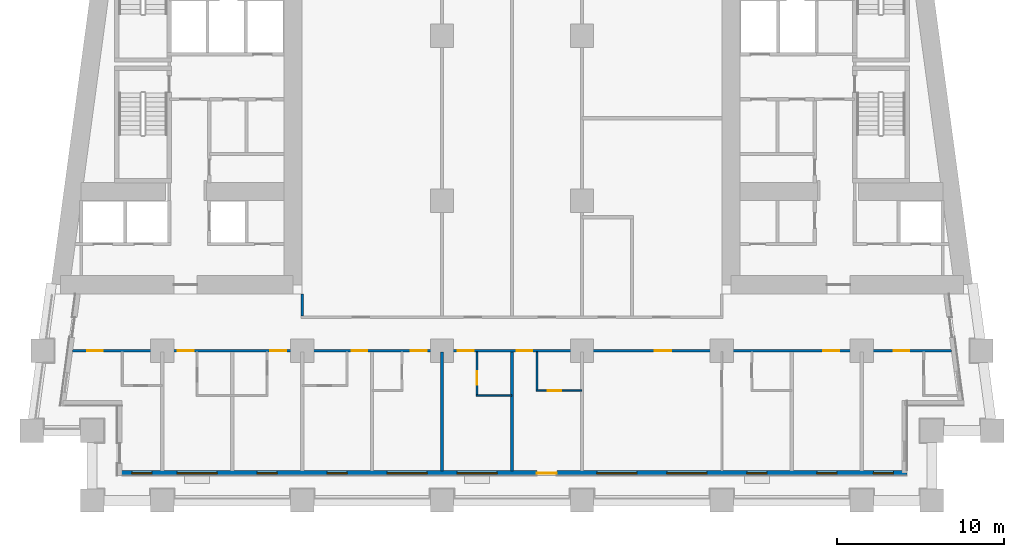
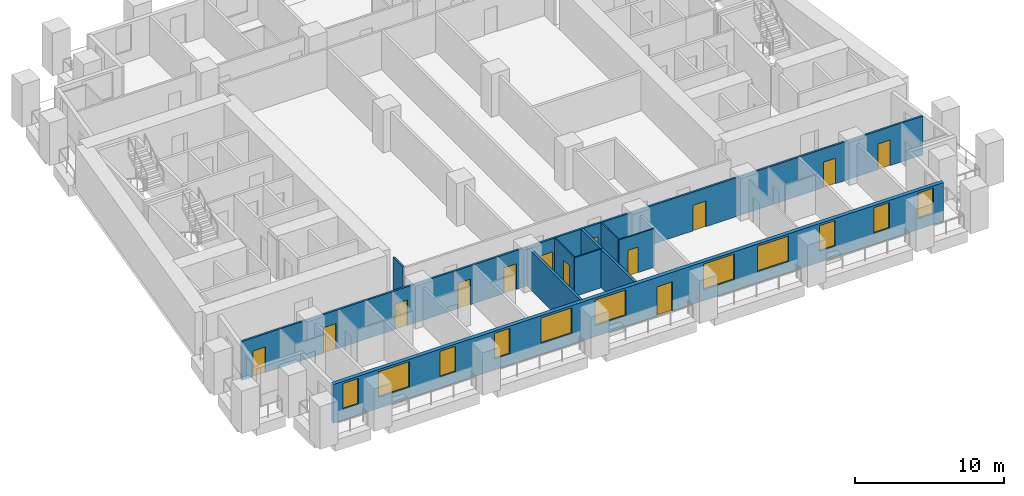
# One storey, part 3 of 13: 13 doors, 11 windows, 9 walls, 24 openings.
"""IFC4 building model written with IfcOpenShell, lengths in metres."""

from ifc_helpers import new_model, si_unit, direction, frame, frame_2d, origin, place, context, subcontext, project, spatial, rectangle, extrude, material, layer, layer_set, type_object, element, fill, save


model = new_model("IFC4")

# Units and contexts
model_context = context("Model", 3, precision=1e-05, world=origin(), true_north=direction((0.0, 1.0)))
body_context = subcontext(model_context, "Body", "Model", "MODEL_VIEW")
ifc_project = project(units=[si_unit("LENGTHUNIT", "METRE"), si_unit("AREAUNIT", "SQUARE_METRE"), si_unit("VOLUMEUNIT", "CUBIC_METRE"), si_unit("PLANEANGLEUNIT", "RADIAN"), si_unit("MASSUNIT", "GRAM", prefix="KILO")], contexts=[model_context])

# Site, building, storey
site_placement = place(None, origin())
site = spatial("IfcSite", under=ifc_project, at=site_placement, CompositionType="ELEMENT")
building_placement = place(site_placement, origin())
building = spatial("IfcBuilding", under=site, at=building_placement, Name="Candeia Pilgrim Tower and Theatre", CompositionType="ELEMENT")
storey_placement = place(building_placement, frame((0.0, 0.0, 67.0)))
storey = spatial("IfcBuildingStorey", under=building, at=storey_placement, Name="L14", CompositionType="ELEMENT", Elevation=67.0)

# Wall, openings, door, windows
ifc_material_1 = material(Name="Ceramic block masonry", Category="masonry")
ifc_layer_1 = layer(ifc_material_1, 0.300048828125)
ifc_layer_set_1 = layer_set([ifc_layer_1], Name="EW1 glazing-line wall 300")
wall_type_1 = type_object("IfcWallType", Name="EW1 glazing-line wall 300", PredefinedType="SOLIDWALL", material=ifc_layer_set_1)
wall_1_placement = place(storey_placement, frame((89.85009765625, 99.64990234375, 0.0), z_axis=(0.0, 0.0, 1.0), x_axis=(1.0, 0.0, 0.0)))
wall_1 = element("IfcWall", 1, at=wall_1_placement, inside=storey, type_object=wall_type_1, Name="External wall L14-0.0", PredefinedType="SOLIDWALL", context=body_context, shape_type="SweptSolid", body=[
    extrude(rectangle(XDim=47.25, YDim=0.300048828125, at=frame_2d((23.625, 0.0))), origin(), (0.0, 0.0, 1.0), 3.179931640625),
])
opening_1_placement = place(wall_1_placement, frame((0.72509765625, 0.0, 0.89990234375)))
opening_1 = element("IfcOpeningElement", 2, at=opening_1_placement, cuts=wall_1, Name="Opening W-B", PredefinedType="OPENING", context=body_context, shape_type="SweptSolid", body=[
    extrude(rectangle(XDim=1.199951171875, YDim=2.10009765625, at=frame_2d((0.60009765625, 1.050048828125))), frame((0.0, 0.16015625, 0.0), z_axis=(0.0, -1.0, 0.0), x_axis=(1.0, 0.0, 0.0)), (0.0, 0.0, 1.0), 0.320068359375),
])
opening_2_placement = place(wall_1_placement, frame((3.449951171875, 0.0, 0.89990234375)))
opening_2 = element("IfcOpeningElement", 3, at=opening_2_placement, cuts=wall_1, Name="Opening W-A", PredefinedType="OPENING", context=body_context, shape_type="SweptSolid", body=[
    extrude(rectangle(XDim=2.39990234375, YDim=2.10009765625, at=frame_2d((1.199951171875, 1.050048828125))), frame((0.0, 0.16015625, 0.0), z_axis=(0.0, -1.0, 0.0), x_axis=(1.0, 0.0, 0.0)), (0.0, 0.0, 1.0), 0.320068359375),
])
opening_3_placement = place(wall_1_placement, frame((8.25, 0.0, 0.89990234375)))
opening_3 = element("IfcOpeningElement", 4, at=opening_3_placement, cuts=wall_1, Name="Opening W-B", PredefinedType="OPENING", context=body_context, shape_type="SweptSolid", body=[
    extrude(rectangle(XDim=1.199951171875, YDim=2.10009765625, at=frame_2d((0.60009765625, 1.050048828125))), frame((0.0, 0.16015625, 0.0), z_axis=(0.0, -1.0, 0.0), x_axis=(1.0, 0.0, 0.0)), (0.0, 0.0, 1.0), 0.320068359375),
])
opening_4_placement = place(wall_1_placement, frame((12.449951171875, 0.0, 0.89990234375)))
opening_4 = element("IfcOpeningElement", 5, at=opening_4_placement, cuts=wall_1, Name="Opening W-B", PredefinedType="OPENING", context=body_context, shape_type="SweptSolid", body=[
    extrude(rectangle(XDim=1.199951171875, YDim=2.10009765625, at=frame_2d((0.60009765625, 1.050048828125))), frame((0.0, 0.16015625, 0.0), z_axis=(0.0, -1.0, 0.0), x_axis=(1.0, 0.0, 0.0)), (0.0, 0.0, 1.0), 0.320068359375),
])
opening_5_placement = place(wall_1_placement, frame((16.050048828125, 0.0, 0.89990234375)))
opening_5 = element("IfcOpeningElement", 6, at=opening_5_placement, cuts=wall_1, Name="Opening W-A", PredefinedType="OPENING", context=body_context, shape_type="SweptSolid", body=[
    extrude(rectangle(XDim=2.39990234375, YDim=2.10009765625, at=frame_2d((1.199951171875, 1.050048828125))), frame((0.0, 0.16015625, 0.0), z_axis=(0.0, -1.0, 0.0), x_axis=(1.0, 0.0, 0.0)), (0.0, 0.0, 1.0), 0.320068359375),
])
opening_6_placement = place(wall_1_placement, frame((20.25, 0.0, 0.89990234375)))
opening_6 = element("IfcOpeningElement", 7, at=opening_6_placement, cuts=wall_1, Name="Opening W-A", PredefinedType="OPENING", context=body_context, shape_type="SweptSolid", body=[
    extrude(rectangle(XDim=2.39990234375, YDim=2.10009765625, at=frame_2d((1.199951171875, 1.050048828125))), frame((0.0, 0.16015625, 0.0), z_axis=(0.0, -1.0, 0.0), x_axis=(1.0, 0.0, 0.0)), (0.0, 0.0, 1.0), 0.320068359375),
])
opening_7_placement = place(wall_1_placement, frame((25.050048828125, 0.0, 0.0)))
opening_7 = element("IfcOpeningElement", 8, at=opening_7_placement, cuts=wall_1, Name="Opening L14-ED157", PredefinedType="OPENING", context=body_context, shape_type="SweptSolid", body=[
    extrude(rectangle(XDim=1.199951171875, YDim=2.39990234375, at=frame_2d((0.60009765625, 1.199951171875))), frame((0.0, 0.16015625, 0.0), z_axis=(0.0, -1.0, 0.0), x_axis=(1.0, 0.0, 0.0)), (0.0, 0.0, 1.0), 0.320068359375),
])
opening_8_placement = place(wall_1_placement, frame((28.64990234375, 0.0, 0.89990234375)))
opening_8 = element("IfcOpeningElement", 9, at=opening_8_placement, cuts=wall_1, Name="Opening W-A", PredefinedType="OPENING", context=body_context, shape_type="SweptSolid", body=[
    extrude(rectangle(XDim=2.39990234375, YDim=2.10009765625, at=frame_2d((1.199951171875, 1.050048828125))), frame((0.0, 0.16015625, 0.0), z_axis=(0.0, -1.0, 0.0), x_axis=(1.0, 0.0, 0.0)), (0.0, 0.0, 1.0), 0.320068359375),
])
opening_9_placement = place(wall_1_placement, frame((32.85009765625, 0.0, 0.89990234375)))
opening_9 = element("IfcOpeningElement", 10, at=opening_9_placement, cuts=wall_1, Name="Opening W-A", PredefinedType="OPENING", context=body_context, shape_type="SweptSolid", body=[
    extrude(rectangle(XDim=2.39990234375, YDim=2.10009765625, at=frame_2d((1.199951171875, 1.050048828125))), frame((0.0, 0.16015625, 0.0), z_axis=(0.0, -1.0, 0.0), x_axis=(1.0, 0.0, 0.0)), (0.0, 0.0, 1.0), 0.320068359375),
])
opening_10_placement = place(wall_1_placement, frame((37.64990234375, 0.0, 0.89990234375)))
opening_10 = element("IfcOpeningElement", 11, at=opening_10_placement, cuts=wall_1, Name="Opening W-B", PredefinedType="OPENING", context=body_context, shape_type="SweptSolid", body=[
    extrude(rectangle(XDim=1.199951171875, YDim=2.10009765625, at=frame_2d((0.60009765625, 1.050048828125))), frame((0.0, 0.16015625, 0.0), z_axis=(0.0, -1.0, 0.0), x_axis=(1.0, 0.0, 0.0)), (0.0, 0.0, 1.0), 0.320068359375),
])
opening_11_placement = place(wall_1_placement, frame((41.85009765625, 0.0, 0.89990234375)))
opening_11 = element("IfcOpeningElement", 12, at=opening_11_placement, cuts=wall_1, Name="Opening W-B", PredefinedType="OPENING", context=body_context, shape_type="SweptSolid", body=[
    extrude(rectangle(XDim=1.199951171875, YDim=2.10009765625, at=frame_2d((0.60009765625, 1.050048828125))), frame((0.0, 0.16015625, 0.0), z_axis=(0.0, -1.0, 0.0), x_axis=(1.0, 0.0, 0.0)), (0.0, 0.0, 1.0), 0.320068359375),
])
opening_12_placement = place(wall_1_placement, frame((45.25, 0.0, 0.89990234375)))
opening_12 = element("IfcOpeningElement", 13, at=opening_12_placement, cuts=wall_1, Name="Opening W-B", PredefinedType="OPENING", context=body_context, shape_type="SweptSolid", body=[
    extrude(rectangle(XDim=1.199951171875, YDim=2.10009765625, at=frame_2d((0.60009765625, 1.050048828125))), frame((0.0, 0.16015625, 0.0), z_axis=(0.0, -1.0, 0.0), x_axis=(1.0, 0.0, 0.0)), (0.0, 0.0, 1.0), 0.320068359375),
])
ifc_material_2 = material(Name="Aluminium framed glazed door", Category="aluminium")
door_type_1 = type_object("IfcDoorType", Name="Loggia door 1200x2400", OperationType="DOUBLE_DOOR_SINGLE_SWING", PredefinedType="DOOR", material=ifc_material_2)
door_1_placement = place(opening_7_placement, origin())
door_1 = element("IfcDoor", 14, at=door_1_placement, inside=storey, type_object=door_type_1, Name="Loggia door L14-ED157", OperationType="DOUBLE_DOOR_SINGLE_SWING", OverallHeight=2.39990234375, OverallWidth=1.199951171875, PredefinedType="DOOR", context=body_context, shape_type="SweptSolid", body=[
    extrude(rectangle(XDim=1.199951171875, YDim=2.39990234375, at=frame_2d((0.60009765625, 1.199951171875))), frame((0.0, 0.02490234375, 0.0), z_axis=(0.0, -1.0, 0.0), x_axis=(1.0, 0.0, 0.0)), (0.0, 0.0, 1.0), 0.050048828125),
])
fill(opening_7, door_1)
ifc_material_3 = material(Name="Aluminium framed double glazing", Category="aluminium")
window_type_1 = type_object("IfcWindowType", Name="W-A window 2400x2100", PartitioningType="DOUBLE_PANEL_VERTICAL", PredefinedType="WINDOW", material=ifc_material_3)
window_1_placement = place(opening_2_placement, origin())
window_1 = element("IfcWindow", 15, at=window_1_placement, inside=storey, type_object=window_type_1, Name="Window W-A L14", OverallHeight=2.10009765625, OverallWidth=2.39990234375, PartitioningType="SINGLE_PANEL", PredefinedType="WINDOW", context=body_context, shape_type="SweptSolid", body=[
    extrude(rectangle(XDim=2.39990234375, YDim=2.10009765625, at=frame_2d((1.199951171875, 1.050048828125))), frame((0.0, 0.030029296875, 0.0), z_axis=(0.0, -1.0, 0.0), x_axis=(1.0, 0.0, 0.0)), (0.0, 0.0, 1.0), 0.06005859375),
])
fill(opening_2, window_1)
window_2_placement = place(opening_5_placement, origin())
window_2 = element("IfcWindow", 16, at=window_2_placement, inside=storey, type_object=window_type_1, Name="Window W-A L14", OverallHeight=2.10009765625, OverallWidth=2.39990234375, PartitioningType="SINGLE_PANEL", PredefinedType="WINDOW", context=body_context, shape_type="SweptSolid", body=[
    extrude(rectangle(XDim=2.39990234375, YDim=2.10009765625, at=frame_2d((1.199951171875, 1.050048828125))), frame((0.0, 0.030029296875, 0.0), z_axis=(0.0, -1.0, 0.0), x_axis=(1.0, 0.0, 0.0)), (0.0, 0.0, 1.0), 0.06005859375),
])
fill(opening_5, window_2)
window_3_placement = place(opening_6_placement, origin())
window_3 = element("IfcWindow", 17, at=window_3_placement, inside=storey, type_object=window_type_1, Name="Window W-A L14", OverallHeight=2.10009765625, OverallWidth=2.39990234375, PartitioningType="SINGLE_PANEL", PredefinedType="WINDOW", context=body_context, shape_type="SweptSolid", body=[
    extrude(rectangle(XDim=2.39990234375, YDim=2.10009765625, at=frame_2d((1.199951171875, 1.050048828125))), frame((0.0, 0.030029296875, 0.0), z_axis=(0.0, -1.0, 0.0), x_axis=(1.0, 0.0, 0.0)), (0.0, 0.0, 1.0), 0.06005859375),
])
fill(opening_6, window_3)
window_4_placement = place(opening_8_placement, origin())
window_4 = element("IfcWindow", 18, at=window_4_placement, inside=storey, type_object=window_type_1, Name="Window W-A L14", OverallHeight=2.10009765625, OverallWidth=2.39990234375, PartitioningType="SINGLE_PANEL", PredefinedType="WINDOW", context=body_context, shape_type="SweptSolid", body=[
    extrude(rectangle(XDim=2.39990234375, YDim=2.10009765625, at=frame_2d((1.199951171875, 1.050048828125))), frame((0.0, 0.030029296875, 0.0), z_axis=(0.0, -1.0, 0.0), x_axis=(1.0, 0.0, 0.0)), (0.0, 0.0, 1.0), 0.06005859375),
])
fill(opening_8, window_4)
window_5_placement = place(opening_9_placement, origin())
window_5 = element("IfcWindow", 19, at=window_5_placement, inside=storey, type_object=window_type_1, Name="Window W-A L14", OverallHeight=2.10009765625, OverallWidth=2.39990234375, PartitioningType="SINGLE_PANEL", PredefinedType="WINDOW", context=body_context, shape_type="SweptSolid", body=[
    extrude(rectangle(XDim=2.39990234375, YDim=2.10009765625, at=frame_2d((1.199951171875, 1.050048828125))), frame((0.0, 0.030029296875, 0.0), z_axis=(0.0, -1.0, 0.0), x_axis=(1.0, 0.0, 0.0)), (0.0, 0.0, 1.0), 0.06005859375),
])
fill(opening_9, window_5)
window_type_2 = type_object("IfcWindowType", Name="W-B window 1200x2100", PartitioningType="SINGLE_PANEL", PredefinedType="WINDOW", material=ifc_material_3)
window_6_placement = place(opening_1_placement, origin())
window_6 = element("IfcWindow", 20, at=window_6_placement, inside=storey, type_object=window_type_2, Name="Window W-B L14", OverallHeight=2.10009765625, OverallWidth=1.199951171875, PartitioningType="SINGLE_PANEL", PredefinedType="WINDOW", context=body_context, shape_type="SweptSolid", body=[
    extrude(rectangle(XDim=1.199951171875, YDim=2.10009765625, at=frame_2d((0.60009765625, 1.050048828125))), frame((0.0, 0.030029296875, 0.0), z_axis=(0.0, -1.0, 0.0), x_axis=(1.0, 0.0, 0.0)), (0.0, 0.0, 1.0), 0.06005859375),
])
fill(opening_1, window_6)
window_7_placement = place(opening_3_placement, origin())
window_7 = element("IfcWindow", 21, at=window_7_placement, inside=storey, type_object=window_type_2, Name="Window W-B L14", OverallHeight=2.10009765625, OverallWidth=1.199951171875, PartitioningType="SINGLE_PANEL", PredefinedType="WINDOW", context=body_context, shape_type="SweptSolid", body=[
    extrude(rectangle(XDim=1.199951171875, YDim=2.10009765625, at=frame_2d((0.60009765625, 1.050048828125))), frame((0.0, 0.030029296875, 0.0), z_axis=(0.0, -1.0, 0.0), x_axis=(1.0, 0.0, 0.0)), (0.0, 0.0, 1.0), 0.06005859375),
])
fill(opening_3, window_7)
window_8_placement = place(opening_4_placement, origin())
window_8 = element("IfcWindow", 22, at=window_8_placement, inside=storey, type_object=window_type_2, Name="Window W-B L14", OverallHeight=2.10009765625, OverallWidth=1.199951171875, PartitioningType="SINGLE_PANEL", PredefinedType="WINDOW", context=body_context, shape_type="SweptSolid", body=[
    extrude(rectangle(XDim=1.199951171875, YDim=2.10009765625, at=frame_2d((0.60009765625, 1.050048828125))), frame((0.0, 0.030029296875, 0.0), z_axis=(0.0, -1.0, 0.0), x_axis=(1.0, 0.0, 0.0)), (0.0, 0.0, 1.0), 0.06005859375),
])
fill(opening_4, window_8)
window_9_placement = place(opening_10_placement, origin())
window_9 = element("IfcWindow", 23, at=window_9_placement, inside=storey, type_object=window_type_2, Name="Window W-B L14", OverallHeight=2.10009765625, OverallWidth=1.199951171875, PartitioningType="SINGLE_PANEL", PredefinedType="WINDOW", context=body_context, shape_type="SweptSolid", body=[
    extrude(rectangle(XDim=1.199951171875, YDim=2.10009765625, at=frame_2d((0.60009765625, 1.050048828125))), frame((0.0, 0.030029296875, 0.0), z_axis=(0.0, -1.0, 0.0), x_axis=(1.0, 0.0, 0.0)), (0.0, 0.0, 1.0), 0.06005859375),
])
fill(opening_10, window_9)
window_10_placement = place(opening_11_placement, origin())
window_10 = element("IfcWindow", 24, at=window_10_placement, inside=storey, type_object=window_type_2, Name="Window W-B L14", OverallHeight=2.10009765625, OverallWidth=1.199951171875, PartitioningType="SINGLE_PANEL", PredefinedType="WINDOW", context=body_context, shape_type="SweptSolid", body=[
    extrude(rectangle(XDim=1.199951171875, YDim=2.10009765625, at=frame_2d((0.60009765625, 1.050048828125))), frame((0.0, 0.030029296875, 0.0), z_axis=(0.0, -1.0, 0.0), x_axis=(1.0, 0.0, 0.0)), (0.0, 0.0, 1.0), 0.06005859375),
])
fill(opening_11, window_10)
window_11_placement = place(opening_12_placement, origin())
window_11 = element("IfcWindow", 25, at=window_11_placement, inside=storey, type_object=window_type_2, Name="Window W-B L14", OverallHeight=2.10009765625, OverallWidth=1.199951171875, PartitioningType="SINGLE_PANEL", PredefinedType="WINDOW", context=body_context, shape_type="SweptSolid", body=[
    extrude(rectangle(XDim=1.199951171875, YDim=2.10009765625, at=frame_2d((0.60009765625, 1.050048828125))), frame((0.0, 0.030029296875, 0.0), z_axis=(0.0, -1.0, 0.0), x_axis=(1.0, 0.0, 0.0)), (0.0, 0.0, 1.0), 0.06005859375),
])
fill(opening_12, window_11)

# Wall
ifc_material_4 = material(Name="Gypsum board partition on steel studs", Category="steel")
ifc_layer_2 = layer(ifc_material_4, 0.10009765625)
ifc_layer_set_2 = layer_set([ifc_layer_2], Name="PW-100 room partition")
wall_type_2 = type_object("IfcWallType", Name="PW-100 room partition", PredefinedType="PARTITIONING", material=ifc_layer_set_2)
wall_2_placement = place(storey_placement, frame((111.25, 104.300048828125, 0.0), z_axis=(0.0, 0.0, 1.0), x_axis=(1.0, 0.0, 0.0)))
element("IfcWall", 26, at=wall_2_placement, inside=storey, type_object=wall_type_2, Name="Room partition L14-002", PredefinedType="PARTITIONING", context=body_context, shape_type="SweptSolid", body=[
    extrude(rectangle(XDim=2.14990234375, YDim=0.10009765625, at=frame_2d((1.074951171875, 0.0))), origin(), (0.0, 0.0, 1.0), 3.179931640625),
])

# Wall, opening, door
wall_3_placement = place(storey_placement, frame((114.85009765625, 104.60009765625, 0.0), z_axis=(0.0, 0.0, 1.0), x_axis=(1.0, 0.0, 0.0)))
wall_3 = element("IfcWall", 27, at=wall_3_placement, inside=storey, type_object=wall_type_2, Name="Room partition L14-005", PredefinedType="PARTITIONING", context=body_context, shape_type="SweptSolid", body=[
    extrude(rectangle(XDim=2.75, YDim=0.10009765625, at=frame_2d((1.375, 0.0))), origin(), (0.0, 0.0, 1.0), 3.179931640625),
])
opening_13_placement = place(wall_3_placement, frame((0.699951171875, 0.0, 0.0)))
opening_13 = element("IfcOpeningElement", 28, at=opening_13_placement, cuts=wall_3, Name="Opening L14-D030", PredefinedType="OPENING", context=body_context, shape_type="SweptSolid", body=[
    extrude(rectangle(XDim=0.800048828125, YDim=2.10009765625, at=frame_2d((0.39990234375, 1.050048828125))), frame((0.0, 0.06005859375, 0.0), z_axis=(0.0, -1.0, 0.0), x_axis=(1.0, 0.0, 0.0)), (0.0, 0.0, 1.0), 0.1201171875),
])
ifc_material_5 = material(Name="Timber door leaf", Category="wood")
door_type_2 = type_object("IfcDoorType", Name="D-800", OperationType="NOTDEFINED", PredefinedType="DOOR", material=ifc_material_5)
door_2_placement = place(opening_13_placement, origin())
door_2 = element("IfcDoor", 29, at=door_2_placement, inside=storey, type_object=door_type_2, Name="Door L14-D030", OperationType="SINGLE_SWING_RIGHT", OverallHeight=2.10009765625, OverallWidth=0.800048828125, PredefinedType="DOOR", context=body_context, shape_type="SweptSolid", body=[
    extrude(rectangle(XDim=0.800048828125, YDim=2.10009765625, at=frame_2d((0.39990234375, 1.050048828125))), frame((0.0, 0.02490234375, 0.0), z_axis=(0.0, -1.0, 0.0), x_axis=(1.0, 0.0, 0.0)), (0.0, 0.0, 1.0), 0.050048828125),
])
fill(opening_13, door_2)

wall_4_placement = place(storey_placement, frame((111.300048828125, 104.35009765625, 0.0), z_axis=(0.0, 0.0, 1.0), x_axis=(0.0, 1.0, 0.0)))
wall_4 = element("IfcWall", 30, at=wall_4_placement, inside=storey, type_object=wall_type_2, Name="Room partition L14-078", PredefinedType="PARTITIONING", context=body_context, shape_type="SweptSolid", body=[
    extrude(rectangle(XDim=2.574951171875, YDim=0.10009765625, at=frame_2d((1.28759765625, 0.0))), origin(), (0.0, 0.0, 1.0), 3.179931640625),
])
opening_14_placement = place(wall_4_placement, frame((0.60009765625, 0.0, 0.0)))
opening_14 = element("IfcOpeningElement", 31, at=opening_14_placement, cuts=wall_4, Name="Opening L14-D028", PredefinedType="OPENING", context=body_context, shape_type="SweptSolid", body=[
    extrude(rectangle(XDim=0.800048828125, YDim=2.10009765625, at=frame_2d((0.39990234375, 1.050048828125))), frame((0.0, 0.06005859375, 0.0), z_axis=(0.0, -1.0, 0.0), x_axis=(1.0, 0.0, 0.0)), (0.0, 0.0, 1.0), 0.1201171875),
])
door_3_placement = place(opening_14_placement, origin())
door_3 = element("IfcDoor", 32, at=door_3_placement, inside=storey, type_object=door_type_2, Name="Door L14-D028", OperationType="SINGLE_SWING_RIGHT", OverallHeight=2.10009765625, OverallWidth=0.800048828125, PredefinedType="DOOR", context=body_context, shape_type="SweptSolid", body=[
    extrude(rectangle(XDim=0.800048828125, YDim=2.10009765625, at=frame_2d((0.39990234375, 1.050048828125))), frame((0.0, 0.02490234375, 0.0), z_axis=(0.0, -1.0, 0.0), x_axis=(1.0, 0.0, 0.0)), (0.0, 0.0, 1.0), 0.050048828125),
])
fill(opening_14, door_3)

# Wall
wall_5_placement = place(storey_placement, frame((114.89990234375, 104.64990234375, 0.0), z_axis=(0.0, 0.0, 1.0), x_axis=(0.0, 1.0, 0.0)))
element("IfcWall", 33, at=wall_5_placement, inside=storey, type_object=wall_type_2, Name="Room partition L14-081", PredefinedType="PARTITIONING", context=body_context, shape_type="SweptSolid", body=[
    extrude(rectangle(XDim=2.275146484375, YDim=0.10009765625, at=frame_2d((1.1376953125, 0.0))), origin(), (0.0, 0.0, 1.0), 3.179931640625),
])

# Wall, openings, doors
ifc_layer_3 = layer(ifc_material_4, 0.14990234375)
ifc_layer_set_3 = layer_set([ifc_layer_3], Name="PW-150 unit wall")
wall_type_3 = type_object("IfcWallType", Name="PW-150 unit wall", PredefinedType="PARTITIONING", material=ifc_layer_set_3)
wall_6_placement = place(storey_placement, frame((87.017578125, 107.0, 0.0), z_axis=(0.0, 0.0, 1.0), x_axis=(1.0, 0.0, 0.0)))
wall_6 = element("IfcWall", 34, at=wall_6_placement, inside=storey, type_object=wall_type_3, Name="Unit wall L14-009", PredefinedType="PARTITIONING", context=body_context, shape_type="SweptSolid", body=[
    extrude(rectangle(XDim=52.7646484375, YDim=0.14990234375, at=frame_2d((26.38232421875, 0.0))), origin(), (0.0, 0.0, 1.0), 3.179931640625),
])
opening_15_placement = place(wall_6_placement, frame((0.870361328125, 0.0, 0.0)))
opening_15 = element("IfcOpeningElement", 35, at=opening_15_placement, cuts=wall_6, Name="Opening L14-D017", PredefinedType="OPENING", context=body_context, shape_type="SweptSolid", body=[
    extrude(rectangle(XDim=0.949951171875, YDim=2.10009765625, at=frame_2d((0.47509765625, 1.050048828125))), frame((0.0, 0.0849609375, 0.0), z_axis=(0.0, -1.0, 0.0), x_axis=(1.0, 0.0, 0.0)), (0.0, 0.0, 1.0), 0.169921875),
])
opening_16_placement = place(wall_6_placement, frame((6.332275390625, 0.0, 0.0)))
opening_16 = element("IfcOpeningElement", 36, at=opening_16_placement, cuts=wall_6, Name="Opening L14-D019", PredefinedType="OPENING", context=body_context, shape_type="SweptSolid", body=[
    extrude(rectangle(XDim=0.949951171875, YDim=2.10009765625, at=frame_2d((0.47509765625, 1.050048828125))), frame((0.0, 0.0849609375, 0.0), z_axis=(0.0, -1.0, 0.0), x_axis=(1.0, 0.0, 0.0)), (0.0, 0.0, 1.0), 0.169921875),
])
opening_17_placement = place(wall_6_placement, frame((11.88232421875, 0.0, 0.0)))
opening_17 = element("IfcOpeningElement", 37, at=opening_17_placement, cuts=wall_6, Name="Opening L14-D021", PredefinedType="OPENING", context=body_context, shape_type="SweptSolid", body=[
    extrude(rectangle(XDim=0.949951171875, YDim=2.10009765625, at=frame_2d((0.47509765625, 1.050048828125))), frame((0.0, 0.0849609375, 0.0), z_axis=(0.0, -1.0, 0.0), x_axis=(1.0, 0.0, 0.0)), (0.0, 0.0, 1.0), 0.169921875),
])
opening_18_placement = place(wall_6_placement, frame((16.75732421875, 0.0, 0.0)))
opening_18 = element("IfcOpeningElement", 38, at=opening_18_placement, cuts=wall_6, Name="Opening L14-D023", PredefinedType="OPENING", context=body_context, shape_type="SweptSolid", body=[
    extrude(rectangle(XDim=0.949951171875, YDim=2.10009765625, at=frame_2d((0.47509765625, 1.050048828125))), frame((0.0, 0.0849609375, 0.0), z_axis=(0.0, -1.0, 0.0), x_axis=(1.0, 0.0, 0.0)), (0.0, 0.0, 1.0), 0.169921875),
])
opening_19_placement = place(wall_6_placement, frame((20.3193359375, 0.0, 0.0)))
opening_19 = element("IfcOpeningElement", 39, at=opening_19_placement, cuts=wall_6, Name="Opening L14-D025", PredefinedType="OPENING", context=body_context, shape_type="SweptSolid", body=[
    extrude(rectangle(XDim=0.949951171875, YDim=2.10009765625, at=frame_2d((0.47509765625, 1.050048828125))), frame((0.0, 0.0849609375, 0.0), z_axis=(0.0, -1.0, 0.0), x_axis=(1.0, 0.0, 0.0)), (0.0, 0.0, 1.0), 0.169921875),
])
opening_20_placement = place(wall_6_placement, frame((23.13232421875, 0.0, 0.0)))
opening_20 = element("IfcOpeningElement", 40, at=opening_20_placement, cuts=wall_6, Name="Opening L14-D027", PredefinedType="OPENING", context=body_context, shape_type="SweptSolid", body=[
    extrude(rectangle(XDim=0.949951171875, YDim=2.10009765625, at=frame_2d((0.47509765625, 1.050048828125))), frame((0.0, 0.0849609375, 0.0), z_axis=(0.0, -1.0, 0.0), x_axis=(1.0, 0.0, 0.0)), (0.0, 0.0, 1.0), 0.169921875),
])
opening_21_placement = place(wall_6_placement, frame((26.6572265625, 0.0, 0.0)))
opening_21 = element("IfcOpeningElement", 41, at=opening_21_placement, cuts=wall_6, Name="Opening L14-D029", PredefinedType="OPENING", context=body_context, shape_type="SweptSolid", body=[
    extrude(rectangle(XDim=0.949951171875, YDim=2.10009765625, at=frame_2d((0.47509765625, 1.050048828125))), frame((0.0, 0.0849609375, 0.0), z_axis=(0.0, -1.0, 0.0), x_axis=(1.0, 0.0, 0.0)), (0.0, 0.0, 1.0), 0.169921875),
])
opening_22_placement = place(wall_6_placement, frame((34.952392578125, 0.0, 0.0)))
opening_22 = element("IfcOpeningElement", 42, at=opening_22_placement, cuts=wall_6, Name="Opening L14-D031", PredefinedType="OPENING", context=body_context, shape_type="SweptSolid", body=[
    extrude(rectangle(XDim=1.0, YDim=2.10009765625, at=frame_2d((0.5, 1.050048828125))), frame((0.0, 0.0849609375, 0.0), z_axis=(0.0, -1.0, 0.0), x_axis=(1.0, 0.0, 0.0)), (0.0, 0.0, 1.0), 0.169921875),
])
opening_23_placement = place(wall_6_placement, frame((45.062255859375, 0.0, 0.0)))
opening_23 = element("IfcOpeningElement", 43, at=opening_23_placement, cuts=wall_6, Name="Opening L14-D034", PredefinedType="OPENING", context=body_context, shape_type="SweptSolid", body=[
    extrude(rectangle(XDim=0.949951171875, YDim=2.10009765625, at=frame_2d((0.47509765625, 1.050048828125))), frame((0.0, 0.0849609375, 0.0), z_axis=(0.0, -1.0, 0.0), x_axis=(1.0, 0.0, 0.0)), (0.0, 0.0, 1.0), 0.169921875),
])
opening_24_placement = place(wall_6_placement, frame((49.285400390625, 0.0, 0.0)))
opening_24 = element("IfcOpeningElement", 44, at=opening_24_placement, cuts=wall_6, Name="Opening L14-D035", PredefinedType="OPENING", context=body_context, shape_type="SweptSolid", body=[
    extrude(rectangle(XDim=0.949951171875, YDim=2.10009765625, at=frame_2d((0.47509765625, 1.050048828125))), frame((0.0, 0.0849609375, 0.0), z_axis=(0.0, -1.0, 0.0), x_axis=(1.0, 0.0, 0.0)), (0.0, 0.0, 1.0), 0.169921875),
])
ifc_material_6 = material(Name="Steel fire door set", Category="steel")
door_type_3 = type_object("IfcDoorType", Name="D-1000-FD30S", OperationType="NOTDEFINED", PredefinedType="DOOR", material=ifc_material_6)
door_4_placement = place(opening_22_placement, origin())
door_4 = element("IfcDoor", 45, at=door_4_placement, inside=storey, type_object=door_type_3, Name="Door L14-D031", OperationType="SINGLE_SWING_LEFT", OverallHeight=2.10009765625, OverallWidth=1.0, PredefinedType="DOOR", context=body_context, shape_type="SweptSolid", body=[
    extrude(rectangle(XDim=1.0, YDim=2.10009765625, at=frame_2d((0.5, 1.050048828125))), frame((0.0, 0.02490234375, 0.0), z_axis=(0.0, -1.0, 0.0), x_axis=(1.0, 0.0, 0.0)), (0.0, 0.0, 1.0), 0.050048828125),
])
fill(opening_22, door_4)
door_type_4 = type_object("IfcDoorType", Name="D-950-FD30S", OperationType="NOTDEFINED", PredefinedType="DOOR", material=ifc_material_6)
door_5_placement = place(opening_15_placement, origin())
door_5 = element("IfcDoor", 46, at=door_5_placement, inside=storey, type_object=door_type_4, Name="Door L14-D017", OperationType="SINGLE_SWING_LEFT", OverallHeight=2.10009765625, OverallWidth=0.949951171875, PredefinedType="DOOR", context=body_context, shape_type="SweptSolid", body=[
    extrude(rectangle(XDim=0.949951171875, YDim=2.10009765625, at=frame_2d((0.47509765625, 1.050048828125))), frame((0.0, 0.02490234375, 0.0), z_axis=(0.0, -1.0, 0.0), x_axis=(1.0, 0.0, 0.0)), (0.0, 0.0, 1.0), 0.050048828125),
])
fill(opening_15, door_5)
door_6_placement = place(opening_16_placement, origin())
door_6 = element("IfcDoor", 47, at=door_6_placement, inside=storey, type_object=door_type_4, Name="Door L14-D019", OperationType="SINGLE_SWING_LEFT", OverallHeight=2.10009765625, OverallWidth=0.949951171875, PredefinedType="DOOR", context=body_context, shape_type="SweptSolid", body=[
    extrude(rectangle(XDim=0.949951171875, YDim=2.10009765625, at=frame_2d((0.47509765625, 1.050048828125))), frame((0.0, 0.02490234375, 0.0), z_axis=(0.0, -1.0, 0.0), x_axis=(1.0, 0.0, 0.0)), (0.0, 0.0, 1.0), 0.050048828125),
])
fill(opening_16, door_6)
door_7_placement = place(opening_17_placement, origin())
door_7 = element("IfcDoor", 48, at=door_7_placement, inside=storey, type_object=door_type_4, Name="Door L14-D021", OperationType="SINGLE_SWING_LEFT", OverallHeight=2.10009765625, OverallWidth=0.949951171875, PredefinedType="DOOR", context=body_context, shape_type="SweptSolid", body=[
    extrude(rectangle(XDim=0.949951171875, YDim=2.10009765625, at=frame_2d((0.47509765625, 1.050048828125))), frame((0.0, 0.02490234375, 0.0), z_axis=(0.0, -1.0, 0.0), x_axis=(1.0, 0.0, 0.0)), (0.0, 0.0, 1.0), 0.050048828125),
])
fill(opening_17, door_7)
door_8_placement = place(opening_18_placement, origin())
door_8 = element("IfcDoor", 49, at=door_8_placement, inside=storey, type_object=door_type_4, Name="Door L14-D023", OperationType="SINGLE_SWING_LEFT", OverallHeight=2.10009765625, OverallWidth=0.949951171875, PredefinedType="DOOR", context=body_context, shape_type="SweptSolid", body=[
    extrude(rectangle(XDim=0.949951171875, YDim=2.10009765625, at=frame_2d((0.47509765625, 1.050048828125))), frame((0.0, 0.02490234375, 0.0), z_axis=(0.0, -1.0, 0.0), x_axis=(1.0, 0.0, 0.0)), (0.0, 0.0, 1.0), 0.050048828125),
])
fill(opening_18, door_8)
door_9_placement = place(opening_19_placement, origin())
door_9 = element("IfcDoor", 50, at=door_9_placement, inside=storey, type_object=door_type_4, Name="Door L14-D025", OperationType="SINGLE_SWING_LEFT", OverallHeight=2.10009765625, OverallWidth=0.949951171875, PredefinedType="DOOR", context=body_context, shape_type="SweptSolid", body=[
    extrude(rectangle(XDim=0.949951171875, YDim=2.10009765625, at=frame_2d((0.47509765625, 1.050048828125))), frame((0.0, 0.02490234375, 0.0), z_axis=(0.0, -1.0, 0.0), x_axis=(1.0, 0.0, 0.0)), (0.0, 0.0, 1.0), 0.050048828125),
])
fill(opening_19, door_9)
door_10_placement = place(opening_20_placement, origin())
door_10 = element("IfcDoor", 51, at=door_10_placement, inside=storey, type_object=door_type_4, Name="Door L14-D027", OperationType="SINGLE_SWING_LEFT", OverallHeight=2.10009765625, OverallWidth=0.949951171875, PredefinedType="DOOR", context=body_context, shape_type="SweptSolid", body=[
    extrude(rectangle(XDim=0.949951171875, YDim=2.10009765625, at=frame_2d((0.47509765625, 1.050048828125))), frame((0.0, 0.02490234375, 0.0), z_axis=(0.0, -1.0, 0.0), x_axis=(1.0, 0.0, 0.0)), (0.0, 0.0, 1.0), 0.050048828125),
])
fill(opening_20, door_10)
door_11_placement = place(opening_21_placement, origin())
door_11 = element("IfcDoor", 52, at=door_11_placement, inside=storey, type_object=door_type_4, Name="Door L14-D029", OperationType="SINGLE_SWING_LEFT", OverallHeight=2.10009765625, OverallWidth=0.949951171875, PredefinedType="DOOR", context=body_context, shape_type="SweptSolid", body=[
    extrude(rectangle(XDim=0.949951171875, YDim=2.10009765625, at=frame_2d((0.47509765625, 1.050048828125))), frame((0.0, 0.02490234375, 0.0), z_axis=(0.0, -1.0, 0.0), x_axis=(1.0, 0.0, 0.0)), (0.0, 0.0, 1.0), 0.050048828125),
])
fill(opening_21, door_11)
door_12_placement = place(opening_23_placement, origin())
door_12 = element("IfcDoor", 53, at=door_12_placement, inside=storey, type_object=door_type_4, Name="Door L14-D034", OperationType="SINGLE_SWING_RIGHT", OverallHeight=2.10009765625, OverallWidth=0.949951171875, PredefinedType="DOOR", context=body_context, shape_type="SweptSolid", body=[
    extrude(rectangle(XDim=0.949951171875, YDim=2.10009765625, at=frame_2d((0.47509765625, 1.050048828125))), frame((0.0, 0.02490234375, 0.0), z_axis=(0.0, -1.0, 0.0), x_axis=(1.0, 0.0, 0.0)), (0.0, 0.0, 1.0), 0.050048828125),
])
fill(opening_23, door_12)
door_13_placement = place(opening_24_placement, origin())
door_13 = element("IfcDoor", 54, at=door_13_placement, inside=storey, type_object=door_type_4, Name="Door L14-D035", OperationType="SINGLE_SWING_LEFT", OverallHeight=2.10009765625, OverallWidth=0.949951171875, PredefinedType="DOOR", context=body_context, shape_type="SweptSolid", body=[
    extrude(rectangle(XDim=0.949951171875, YDim=2.10009765625, at=frame_2d((0.47509765625, 1.050048828125))), frame((0.0, 0.02490234375, 0.0), z_axis=(0.0, -1.0, 0.0), x_axis=(1.0, 0.0, 0.0)), (0.0, 0.0, 1.0), 0.050048828125),
])
fill(opening_24, door_13)

# Walls
wall_7_placement = place(storey_placement, frame((100.800048828125, 109.074951171875, 0.0), z_axis=(0.0, 0.0, 1.0), x_axis=(0.0, 1.0, 0.0)))
element("IfcWall", 55, at=wall_7_placement, inside=storey, type_object=wall_type_3, Name="Unit wall L14-068", PredefinedType="PARTITIONING", context=body_context, shape_type="SweptSolid", body=[
    extrude(rectangle(XDim=1.324951171875, YDim=0.14990234375, at=frame_2d((0.66259765625, 0.0))), origin(), (0.0, 0.0, 1.0), 3.179931640625),
])
ifc_layer_4 = layer(ifc_material_4, 0.199951171875)
ifc_layer_set_4 = layer_set([ifc_layer_4], Name="PW-200 party wall")
wall_type_4 = type_object("IfcWallType", Name="PW-200 party wall", PredefinedType="PARTITIONING", material=ifc_layer_set_4)
for number, where, z_axis, x_axis, name in (
    (56, (109.199951171875, 99.7900390625, 0.0), (0.0, 0.0, 1.0), (0.0, 1.0, 0.0), "Party wall L14-075"),
    (57, (113.39990234375, 99.7900390625, 0.0), (0.0, 0.0, 1.0), (0.0, 1.0, 0.0), "Party wall L14-079"),
):
    element("IfcWall", number, at=place(storey_placement, frame(where, z_axis=z_axis, x_axis=x_axis)), inside=storey, type_object=wall_type_4, Name=name, PredefinedType="PARTITIONING", context=body_context, shape_type="SweptSolid", body=[
        extrude(rectangle(XDim=7.135009765625, YDim=0.199951171875, at=frame_2d((3.5673828125, 0.0))), origin(), (0.0, 0.0, 1.0), 3.179931640625),
    ])

save(model, "model.ifc")
